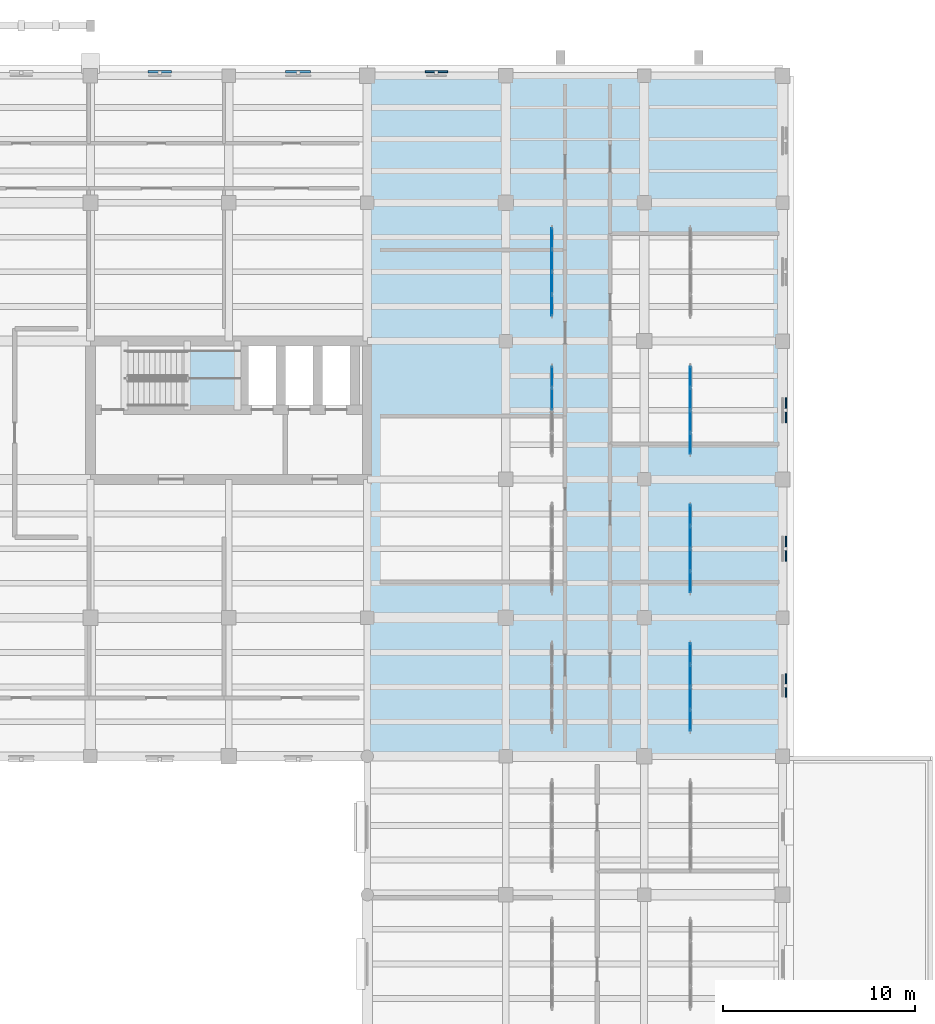
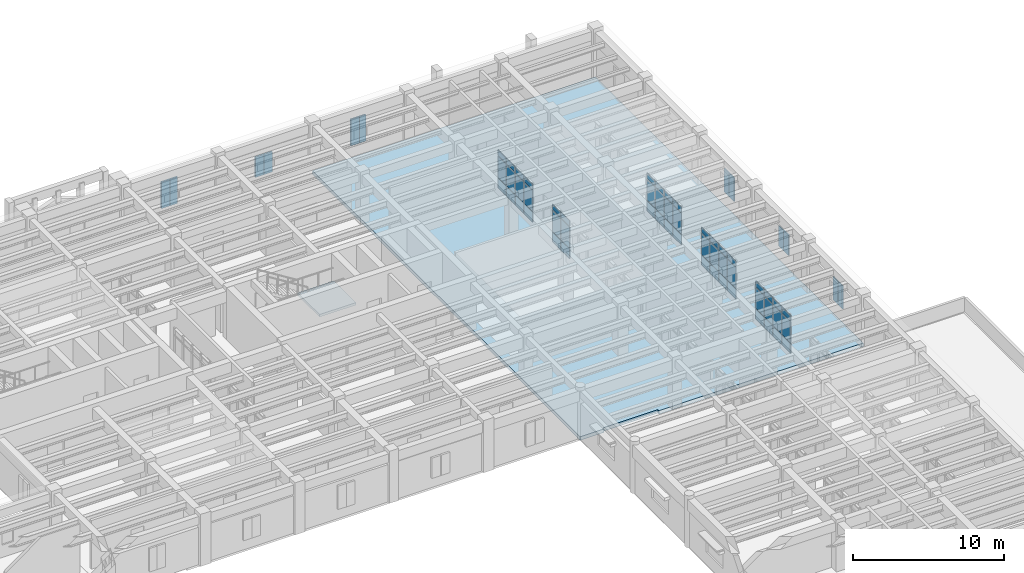
# One storey, part 46 of 76: 66 plates, 2 slabs, 6 elements without a shape of their own.
"""IFC4 building model written with IfcOpenShell, lengths in metres."""

from ifc_helpers import new_model, si_unit, direction, frame, origin, origin_2d, place, context, subcontext, project, spatial, polyline, rectangle, outline, extrude, material, layer, layer_set, type_object, element, aggregate, save


model = new_model("IFC4")

# Units and contexts
model_context = context("Model", 3, precision=1e-05, world=origin(), true_north=direction((0.0, 1.0)))
body_context = subcontext(model_context, "Body", "Model", "MODEL_VIEW")
ifc_project = project(units=[si_unit("LENGTHUNIT", "METRE"), si_unit("AREAUNIT", "SQUARE_METRE"), si_unit("VOLUMEUNIT", "CUBIC_METRE"), si_unit("PLANEANGLEUNIT", "RADIAN"), si_unit("MASSUNIT", "GRAM", prefix="KILO")], contexts=[model_context])

# Site, building, storey
site_placement = place(None, origin())
site = spatial("IfcSite", under=ifc_project, at=site_placement, CompositionType="ELEMENT")
building_placement = place(site_placement, origin())
building = spatial("IfcBuilding", under=site, at=building_placement, Name="Mithqara Police Headquarters", CompositionType="ELEMENT")
storey_placement = place(building_placement, frame((0.0, 0.0, 5.39990234375)))
storey = spatial("IfcBuildingStorey", under=building, at=storey_placement, Name="L01", CompositionType="ELEMENT", Elevation=5.39990234375)

# Curtain wall, plates
ifc_material_1 = material(Name="Bronze anodised aluminium 6063-T6", Category="aluminium")
curtain_wall_type = type_object("IfcCurtainWallType", Name="CURTAIN WALL 4700X3200", PredefinedType="USERDEFINED", material=ifc_material_1)
curtain_wall_1_placement = place(storey_placement, origin())
curtain_wall_1 = element("IfcCurtainWall", 1, at=curtain_wall_1_placement, inside=storey, type_object=curtain_wall_type, Name="L01 Unitised Glazing CW-15 (CW-INT-L01-X21-Y13-0)", ObjectType="UNITISED GLAZING", PredefinedType="USERDEFINED")
ifc_material_2 = material(Name="Spectrally selective double low-e glass", Category="glass")
ifc_layer_1 = layer(ifc_material_2, 0.028076171875, Name="Spectrally selective double low-e glass")
ifc_layer_set_1 = layer_set([ifc_layer_1], Name="Spectrally selective double low-e glass")
plate_type_1 = type_object("IfcPlateType", Name="CWPANEL GLASS28", PredefinedType="CURTAIN_PANEL", material=ifc_layer_set_1)
plate_1_placement = place(storey_placement, frame((154.199951171875, 97.1875, 0.074951171875), z_axis=(0.0, 0.0, 1.0), x_axis=(0.0, 1.0, 0.0)))
plate_1 = element("IfcPlate", 2, at=plate_1_placement, type_object=plate_type_1, Name="CW-15 panel 3.1", PredefinedType="CURTAIN_PANEL", context=body_context, shape_type="SweptSolid", body=[
    extrude(rectangle(XDim=1.10009765625, YDim=0.028076171875, at=origin_2d()), origin(), (0.0, 0.0, 1.0), 0.78759765625),
])
plate_2_placement = place(storey_placement, frame((154.199951171875, 97.1875, 0.9375), z_axis=(0.0, 0.0, 1.0), x_axis=(0.0, 1.0, 0.0)))
plate_2 = element("IfcPlate", 3, at=plate_2_placement, type_object=plate_type_1, Name="CW-15 panel 3.2", PredefinedType="CURTAIN_PANEL", context=body_context, shape_type="SweptSolid", body=[
    extrude(rectangle(XDim=1.10009765625, YDim=0.028076171875, at=origin_2d()), origin(), (0.0, 0.0, 1.0), 1.675048828125),
])
plate_3_placement = place(storey_placement, frame((154.199951171875, 97.1875, 2.6875), z_axis=(0.0, 0.0, 1.0), x_axis=(0.0, 1.0, 0.0)))
plate_3 = element("IfcPlate", 4, at=plate_3_placement, type_object=plate_type_1, Name="CW-15 panel 3.3", PredefinedType="CURTAIN_PANEL", context=body_context, shape_type="SweptSolid", body=[
    extrude(rectangle(XDim=1.10009765625, YDim=0.028076171875, at=origin_2d()), origin(), (0.0, 0.0, 1.0), 0.4375),
])
plate_4_placement = place(storey_placement, frame((154.199951171875, 98.34375, 0.074951171875), z_axis=(0.0, 0.0, 1.0), x_axis=(0.0, 1.0, 0.0)))
plate_4 = element("IfcPlate", 5, at=plate_4_placement, type_object=plate_type_1, Name="CW-15 panel 4.1", PredefinedType="CURTAIN_PANEL", context=body_context, shape_type="SweptSolid", body=[
    extrude(rectangle(XDim=1.0625, YDim=0.028076171875, at=origin_2d()), origin(), (0.0, 0.0, 1.0), 0.78759765625),
])
plate_5_placement = place(storey_placement, frame((154.199951171875, 98.34375, 0.9375), z_axis=(0.0, 0.0, 1.0), x_axis=(0.0, 1.0, 0.0)))
plate_5 = element("IfcPlate", 6, at=plate_5_placement, type_object=plate_type_1, Name="CW-15 panel 4.2", PredefinedType="CURTAIN_PANEL", context=body_context, shape_type="SweptSolid", body=[
    extrude(rectangle(XDim=1.0625, YDim=0.028076171875, at=origin_2d()), origin(), (0.0, 0.0, 1.0), 1.675048828125),
])
plate_6_placement = place(storey_placement, frame((154.199951171875, 98.34375, 2.6875), z_axis=(0.0, 0.0, 1.0), x_axis=(0.0, 1.0, 0.0)))
plate_6 = element("IfcPlate", 7, at=plate_6_placement, type_object=plate_type_1, Name="CW-15 panel 4.3", PredefinedType="CURTAIN_PANEL", context=body_context, shape_type="SweptSolid", body=[
    extrude(rectangle(XDim=1.0625, YDim=0.028076171875, at=origin_2d()), origin(), (0.0, 0.0, 1.0), 0.4375),
])
aggregate(curtain_wall_1, [plate_1, plate_2, plate_3, plate_4, plate_5, plate_6])

curtain_wall_2_placement = place(storey_placement, origin())
curtain_wall_2 = element("IfcCurtainWall", 8, at=curtain_wall_2_placement, inside=storey, type_object=curtain_wall_type, Name="L01 Unitised Glazing CW-15 (CW-INT-L01-X22-Y12-0)", ObjectType="UNITISED GLAZING", PredefinedType="USERDEFINED")
plate_7_placement = place(storey_placement, frame((161.39990234375, 87.65625, 0.074951171875), z_axis=(0.0, 0.0, 1.0), x_axis=(0.0, 1.0, 0.0)))
plate_7 = element("IfcPlate", 9, at=plate_7_placement, type_object=plate_type_1, Name="CW-15 panel 1.1", PredefinedType="CURTAIN_PANEL", context=body_context, shape_type="SweptSolid", body=[
    extrude(rectangle(XDim=1.0625, YDim=0.028076171875, at=origin_2d()), origin(), (0.0, 0.0, 1.0), 0.78759765625),
])
plate_8_placement = place(storey_placement, frame((161.39990234375, 87.65625, 0.9375), z_axis=(0.0, 0.0, 1.0), x_axis=(0.0, 1.0, 0.0)))
plate_8 = element("IfcPlate", 10, at=plate_8_placement, type_object=plate_type_1, Name="CW-15 panel 1.2", PredefinedType="CURTAIN_PANEL", context=body_context, shape_type="SweptSolid", body=[
    extrude(rectangle(XDim=1.0625, YDim=0.028076171875, at=origin_2d()), origin(), (0.0, 0.0, 1.0), 1.675048828125),
])
plate_9_placement = place(storey_placement, frame((161.39990234375, 87.65625, 2.6875), z_axis=(0.0, 0.0, 1.0), x_axis=(0.0, 1.0, 0.0)))
plate_9 = element("IfcPlate", 11, at=plate_9_placement, type_object=plate_type_1, Name="CW-15 panel 1.3", PredefinedType="CURTAIN_PANEL", context=body_context, shape_type="SweptSolid", body=[
    extrude(rectangle(XDim=1.0625, YDim=0.028076171875, at=origin_2d()), origin(), (0.0, 0.0, 1.0), 0.4375),
])
plate_10_placement = place(storey_placement, frame((161.39990234375, 88.8125, 0.074951171875), z_axis=(0.0, 0.0, 1.0), x_axis=(0.0, 1.0, 0.0)))
plate_10 = element("IfcPlate", 12, at=plate_10_placement, type_object=plate_type_1, Name="CW-15 panel 2.1", PredefinedType="CURTAIN_PANEL", context=body_context, shape_type="SweptSolid", body=[
    extrude(rectangle(XDim=1.10009765625, YDim=0.028076171875, at=origin_2d()), origin(), (0.0, 0.0, 1.0), 0.78759765625),
])
plate_11_placement = place(storey_placement, frame((161.39990234375, 88.8125, 0.9375), z_axis=(0.0, 0.0, 1.0), x_axis=(0.0, 1.0, 0.0)))
plate_11 = element("IfcPlate", 13, at=plate_11_placement, type_object=plate_type_1, Name="CW-15 panel 2.2", PredefinedType="CURTAIN_PANEL", context=body_context, shape_type="SweptSolid", body=[
    extrude(rectangle(XDim=1.10009765625, YDim=0.028076171875, at=origin_2d()), origin(), (0.0, 0.0, 1.0), 1.675048828125),
])
plate_12_placement = place(storey_placement, frame((161.39990234375, 88.8125, 2.6875), z_axis=(0.0, 0.0, 1.0), x_axis=(0.0, 1.0, 0.0)))
plate_12 = element("IfcPlate", 14, at=plate_12_placement, type_object=plate_type_1, Name="CW-15 panel 2.3", PredefinedType="CURTAIN_PANEL", context=body_context, shape_type="SweptSolid", body=[
    extrude(rectangle(XDim=1.10009765625, YDim=0.028076171875, at=origin_2d()), origin(), (0.0, 0.0, 1.0), 0.4375),
])
plate_13_placement = place(storey_placement, frame((161.39990234375, 89.987548828125, 0.074951171875), z_axis=(0.0, 0.0, 1.0), x_axis=(0.0, 1.0, 0.0)))
plate_13 = element("IfcPlate", 15, at=plate_13_placement, type_object=plate_type_1, Name="CW-15 panel 3.1", PredefinedType="CURTAIN_PANEL", context=body_context, shape_type="SweptSolid", body=[
    extrude(rectangle(XDim=1.10009765625, YDim=0.028076171875, at=origin_2d()), origin(), (0.0, 0.0, 1.0), 0.78759765625),
])
plate_14_placement = place(storey_placement, frame((161.39990234375, 89.987548828125, 0.9375), z_axis=(0.0, 0.0, 1.0), x_axis=(0.0, 1.0, 0.0)))
plate_14 = element("IfcPlate", 16, at=plate_14_placement, type_object=plate_type_1, Name="CW-15 panel 3.2", PredefinedType="CURTAIN_PANEL", context=body_context, shape_type="SweptSolid", body=[
    extrude(rectangle(XDim=1.10009765625, YDim=0.028076171875, at=origin_2d()), origin(), (0.0, 0.0, 1.0), 1.675048828125),
])
plate_15_placement = place(storey_placement, frame((161.39990234375, 89.987548828125, 2.6875), z_axis=(0.0, 0.0, 1.0), x_axis=(0.0, 1.0, 0.0)))
plate_15 = element("IfcPlate", 17, at=plate_15_placement, type_object=plate_type_1, Name="CW-15 panel 3.3", PredefinedType="CURTAIN_PANEL", context=body_context, shape_type="SweptSolid", body=[
    extrude(rectangle(XDim=1.10009765625, YDim=0.028076171875, at=origin_2d()), origin(), (0.0, 0.0, 1.0), 0.4375),
])
plate_16_placement = place(storey_placement, frame((161.39990234375, 91.143798828125, 0.074951171875), z_axis=(0.0, 0.0, 1.0), x_axis=(0.0, 1.0, 0.0)))
plate_16 = element("IfcPlate", 18, at=plate_16_placement, type_object=plate_type_1, Name="CW-15 panel 4.1", PredefinedType="CURTAIN_PANEL", context=body_context, shape_type="SweptSolid", body=[
    extrude(rectangle(XDim=1.0625, YDim=0.028076171875, at=origin_2d()), origin(), (0.0, 0.0, 1.0), 0.78759765625),
])
plate_17_placement = place(storey_placement, frame((161.39990234375, 91.143798828125, 0.9375), z_axis=(0.0, 0.0, 1.0), x_axis=(0.0, 1.0, 0.0)))
plate_17 = element("IfcPlate", 19, at=plate_17_placement, type_object=plate_type_1, Name="CW-15 panel 4.2", PredefinedType="CURTAIN_PANEL", context=body_context, shape_type="SweptSolid", body=[
    extrude(rectangle(XDim=1.0625, YDim=0.028076171875, at=origin_2d()), origin(), (0.0, 0.0, 1.0), 1.675048828125),
])
plate_18_placement = place(storey_placement, frame((161.39990234375, 91.143798828125, 2.6875), z_axis=(0.0, 0.0, 1.0), x_axis=(0.0, 1.0, 0.0)))
plate_18 = element("IfcPlate", 20, at=plate_18_placement, type_object=plate_type_1, Name="CW-15 panel 4.3", PredefinedType="CURTAIN_PANEL", context=body_context, shape_type="SweptSolid", body=[
    extrude(rectangle(XDim=1.0625, YDim=0.028076171875, at=origin_2d()), origin(), (0.0, 0.0, 1.0), 0.4375),
])
aggregate(curtain_wall_2, [plate_7, plate_8, plate_9, plate_10, plate_11, plate_12, plate_13, plate_14, plate_15, plate_16, plate_17, plate_18])

curtain_wall_3_placement = place(storey_placement, origin())
curtain_wall_3 = element("IfcCurtainWall", 21, at=curtain_wall_3_placement, inside=storey, type_object=curtain_wall_type, Name="L01 Unitised Glazing CW-15 (CW-INT-L01-X22-Y13-0)", ObjectType="UNITISED GLAZING", PredefinedType="USERDEFINED")
plate_19_placement = place(storey_placement, frame((161.39990234375, 94.856201171875, 0.074951171875), z_axis=(0.0, 0.0, 1.0), x_axis=(0.0, 1.0, 0.0)))
plate_19 = element("IfcPlate", 22, at=plate_19_placement, type_object=plate_type_1, Name="CW-15 panel 1.1", PredefinedType="CURTAIN_PANEL", context=body_context, shape_type="SweptSolid", body=[
    extrude(rectangle(XDim=1.0625, YDim=0.028076171875, at=origin_2d()), origin(), (0.0, 0.0, 1.0), 0.78759765625),
])
plate_20_placement = place(storey_placement, frame((161.39990234375, 94.856201171875, 0.9375), z_axis=(0.0, 0.0, 1.0), x_axis=(0.0, 1.0, 0.0)))
plate_20 = element("IfcPlate", 23, at=plate_20_placement, type_object=plate_type_1, Name="CW-15 panel 1.2", PredefinedType="CURTAIN_PANEL", context=body_context, shape_type="SweptSolid", body=[
    extrude(rectangle(XDim=1.0625, YDim=0.028076171875, at=origin_2d()), origin(), (0.0, 0.0, 1.0), 1.675048828125),
])
plate_21_placement = place(storey_placement, frame((161.39990234375, 94.856201171875, 2.6875), z_axis=(0.0, 0.0, 1.0), x_axis=(0.0, 1.0, 0.0)))
plate_21 = element("IfcPlate", 24, at=plate_21_placement, type_object=plate_type_1, Name="CW-15 panel 1.3", PredefinedType="CURTAIN_PANEL", context=body_context, shape_type="SweptSolid", body=[
    extrude(rectangle(XDim=1.0625, YDim=0.028076171875, at=origin_2d()), origin(), (0.0, 0.0, 1.0), 0.4375),
])
plate_22_placement = place(storey_placement, frame((161.39990234375, 96.012451171875, 0.074951171875), z_axis=(0.0, 0.0, 1.0), x_axis=(0.0, 1.0, 0.0)))
plate_22 = element("IfcPlate", 25, at=plate_22_placement, type_object=plate_type_1, Name="CW-15 panel 2.1", PredefinedType="CURTAIN_PANEL", context=body_context, shape_type="SweptSolid", body=[
    extrude(rectangle(XDim=1.10009765625, YDim=0.028076171875, at=origin_2d()), origin(), (0.0, 0.0, 1.0), 0.78759765625),
])
plate_23_placement = place(storey_placement, frame((161.39990234375, 96.012451171875, 0.9375), z_axis=(0.0, 0.0, 1.0), x_axis=(0.0, 1.0, 0.0)))
plate_23 = element("IfcPlate", 26, at=plate_23_placement, type_object=plate_type_1, Name="CW-15 panel 2.2", PredefinedType="CURTAIN_PANEL", context=body_context, shape_type="SweptSolid", body=[
    extrude(rectangle(XDim=1.10009765625, YDim=0.028076171875, at=origin_2d()), origin(), (0.0, 0.0, 1.0), 1.675048828125),
])
plate_24_placement = place(storey_placement, frame((161.39990234375, 96.012451171875, 2.6875), z_axis=(0.0, 0.0, 1.0), x_axis=(0.0, 1.0, 0.0)))
plate_24 = element("IfcPlate", 27, at=plate_24_placement, type_object=plate_type_1, Name="CW-15 panel 2.3", PredefinedType="CURTAIN_PANEL", context=body_context, shape_type="SweptSolid", body=[
    extrude(rectangle(XDim=1.10009765625, YDim=0.028076171875, at=origin_2d()), origin(), (0.0, 0.0, 1.0), 0.4375),
])
plate_25_placement = place(storey_placement, frame((161.39990234375, 97.1875, 0.074951171875), z_axis=(0.0, 0.0, 1.0), x_axis=(0.0, 1.0, 0.0)))
plate_25 = element("IfcPlate", 28, at=plate_25_placement, type_object=plate_type_1, Name="CW-15 panel 3.1", PredefinedType="CURTAIN_PANEL", context=body_context, shape_type="SweptSolid", body=[
    extrude(rectangle(XDim=1.10009765625, YDim=0.028076171875, at=origin_2d()), origin(), (0.0, 0.0, 1.0), 0.78759765625),
])
plate_26_placement = place(storey_placement, frame((161.39990234375, 97.1875, 0.9375), z_axis=(0.0, 0.0, 1.0), x_axis=(0.0, 1.0, 0.0)))
plate_26 = element("IfcPlate", 29, at=plate_26_placement, type_object=plate_type_1, Name="CW-15 panel 3.2", PredefinedType="CURTAIN_PANEL", context=body_context, shape_type="SweptSolid", body=[
    extrude(rectangle(XDim=1.10009765625, YDim=0.028076171875, at=origin_2d()), origin(), (0.0, 0.0, 1.0), 1.675048828125),
])
plate_27_placement = place(storey_placement, frame((161.39990234375, 97.1875, 2.6875), z_axis=(0.0, 0.0, 1.0), x_axis=(0.0, 1.0, 0.0)))
plate_27 = element("IfcPlate", 30, at=plate_27_placement, type_object=plate_type_1, Name="CW-15 panel 3.3", PredefinedType="CURTAIN_PANEL", context=body_context, shape_type="SweptSolid", body=[
    extrude(rectangle(XDim=1.10009765625, YDim=0.028076171875, at=origin_2d()), origin(), (0.0, 0.0, 1.0), 0.4375),
])
plate_28_placement = place(storey_placement, frame((161.39990234375, 98.34375, 0.074951171875), z_axis=(0.0, 0.0, 1.0), x_axis=(0.0, 1.0, 0.0)))
plate_28 = element("IfcPlate", 31, at=plate_28_placement, type_object=plate_type_1, Name="CW-15 panel 4.1", PredefinedType="CURTAIN_PANEL", context=body_context, shape_type="SweptSolid", body=[
    extrude(rectangle(XDim=1.0625, YDim=0.028076171875, at=origin_2d()), origin(), (0.0, 0.0, 1.0), 0.78759765625),
])
plate_29_placement = place(storey_placement, frame((161.39990234375, 98.34375, 0.9375), z_axis=(0.0, 0.0, 1.0), x_axis=(0.0, 1.0, 0.0)))
plate_29 = element("IfcPlate", 32, at=plate_29_placement, type_object=plate_type_1, Name="CW-15 panel 4.2", PredefinedType="CURTAIN_PANEL", context=body_context, shape_type="SweptSolid", body=[
    extrude(rectangle(XDim=1.0625, YDim=0.028076171875, at=origin_2d()), origin(), (0.0, 0.0, 1.0), 1.675048828125),
])
plate_30_placement = place(storey_placement, frame((161.39990234375, 98.34375, 2.6875), z_axis=(0.0, 0.0, 1.0), x_axis=(0.0, 1.0, 0.0)))
plate_30 = element("IfcPlate", 33, at=plate_30_placement, type_object=plate_type_1, Name="CW-15 panel 4.3", PredefinedType="CURTAIN_PANEL", context=body_context, shape_type="SweptSolid", body=[
    extrude(rectangle(XDim=1.0625, YDim=0.028076171875, at=origin_2d()), origin(), (0.0, 0.0, 1.0), 0.4375),
])
aggregate(curtain_wall_3, [plate_19, plate_20, plate_21, plate_22, plate_23, plate_24, plate_25, plate_26, plate_27, plate_28, plate_29, plate_30])

curtain_wall_4_placement = place(storey_placement, origin())
curtain_wall_4 = element("IfcCurtainWall", 34, at=curtain_wall_4_placement, inside=storey, type_object=curtain_wall_type, Name="L01 Unitised Glazing CW-15 (CW-INT-L01-X21-Y14-0)", ObjectType="UNITISED GLAZING", PredefinedType="USERDEFINED")
ifc_material_3 = material(Name="Insulated bronze aluminium spandrel panel", Category="aluminium")
ifc_layer_2 = layer(ifc_material_3, 0.048095703125, Name="Insulated bronze aluminium spandrel panel")
ifc_layer_set_2 = layer_set([ifc_layer_2], Name="Insulated bronze aluminium spandrel panel")
plate_type_2 = type_object("IfcPlateType", Name="CWPANEL SPANDREL48", PredefinedType="CURTAIN_PANEL", material=ifc_layer_set_2)
plate_31_placement = place(storey_placement, frame((154.199951171875, 102.05615234375, 0.074951171875), z_axis=(0.0, 0.0, 1.0), x_axis=(0.0, 1.0, 0.0)))
plate_31 = element("IfcPlate", 35, at=plate_31_placement, type_object=plate_type_2, Name="CW-15 panel 1.1", PredefinedType="CURTAIN_PANEL", context=body_context, shape_type="SweptSolid", body=[
    extrude(rectangle(XDim=1.0625, YDim=0.048095703125, at=origin_2d()), origin(), (0.0, 0.0, 1.0), 0.78759765625),
])
plate_32_placement = place(storey_placement, frame((154.199951171875, 102.05615234375, 0.9375), z_axis=(0.0, 0.0, 1.0), x_axis=(0.0, 1.0, 0.0)))
plate_32 = element("IfcPlate", 36, at=plate_32_placement, type_object=plate_type_2, Name="CW-15 panel 1.2", PredefinedType="CURTAIN_PANEL", context=body_context, shape_type="SweptSolid", body=[
    extrude(rectangle(XDim=1.0625, YDim=0.048095703125, at=origin_2d()), origin(), (0.0, 0.0, 1.0), 1.675048828125),
])
plate_33_placement = place(storey_placement, frame((154.199951171875, 102.05615234375, 2.6875), z_axis=(0.0, 0.0, 1.0), x_axis=(0.0, 1.0, 0.0)))
plate_33 = element("IfcPlate", 37, at=plate_33_placement, type_object=plate_type_2, Name="CW-15 panel 1.3", PredefinedType="CURTAIN_PANEL", context=body_context, shape_type="SweptSolid", body=[
    extrude(rectangle(XDim=1.0625, YDim=0.048095703125, at=origin_2d()), origin(), (0.0, 0.0, 1.0), 0.4375),
])
plate_34_placement = place(storey_placement, frame((154.199951171875, 103.21240234375, 0.074951171875), z_axis=(0.0, 0.0, 1.0), x_axis=(0.0, 1.0, 0.0)))
plate_34 = element("IfcPlate", 38, at=plate_34_placement, type_object=plate_type_2, Name="CW-15 panel 2.1", PredefinedType="CURTAIN_PANEL", context=body_context, shape_type="SweptSolid", body=[
    extrude(rectangle(XDim=1.10009765625, YDim=0.048095703125, at=origin_2d()), origin(), (0.0, 0.0, 1.0), 0.78759765625),
])
plate_35_placement = place(storey_placement, frame((154.199951171875, 103.21240234375, 0.9375), z_axis=(0.0, 0.0, 1.0), x_axis=(0.0, 1.0, 0.0)))
plate_35 = element("IfcPlate", 39, at=plate_35_placement, type_object=plate_type_2, Name="CW-15 panel 2.2", PredefinedType="CURTAIN_PANEL", context=body_context, shape_type="SweptSolid", body=[
    extrude(rectangle(XDim=1.10009765625, YDim=0.048095703125, at=origin_2d()), origin(), (0.0, 0.0, 1.0), 1.675048828125),
])
plate_36_placement = place(storey_placement, frame((154.199951171875, 103.21240234375, 2.6875), z_axis=(0.0, 0.0, 1.0), x_axis=(0.0, 1.0, 0.0)))
plate_36 = element("IfcPlate", 40, at=plate_36_placement, type_object=plate_type_2, Name="CW-15 panel 2.3", PredefinedType="CURTAIN_PANEL", context=body_context, shape_type="SweptSolid", body=[
    extrude(rectangle(XDim=1.10009765625, YDim=0.048095703125, at=origin_2d()), origin(), (0.0, 0.0, 1.0), 0.4375),
])
plate_37_placement = place(storey_placement, frame((154.199951171875, 104.387451171875, 0.074951171875), z_axis=(0.0, 0.0, 1.0), x_axis=(0.0, 1.0, 0.0)))
plate_37 = element("IfcPlate", 41, at=plate_37_placement, type_object=plate_type_2, Name="CW-15 panel 3.1", PredefinedType="CURTAIN_PANEL", context=body_context, shape_type="SweptSolid", body=[
    extrude(rectangle(XDim=1.10009765625, YDim=0.048095703125, at=origin_2d()), origin(), (0.0, 0.0, 1.0), 0.78759765625),
])
plate_38_placement = place(storey_placement, frame((154.199951171875, 104.387451171875, 0.9375), z_axis=(0.0, 0.0, 1.0), x_axis=(0.0, 1.0, 0.0)))
plate_38 = element("IfcPlate", 42, at=plate_38_placement, type_object=plate_type_2, Name="CW-15 panel 3.2", PredefinedType="CURTAIN_PANEL", context=body_context, shape_type="SweptSolid", body=[
    extrude(rectangle(XDim=1.10009765625, YDim=0.048095703125, at=origin_2d()), origin(), (0.0, 0.0, 1.0), 1.675048828125),
])
plate_39_placement = place(storey_placement, frame((154.199951171875, 104.387451171875, 2.6875), z_axis=(0.0, 0.0, 1.0), x_axis=(0.0, 1.0, 0.0)))
plate_39 = element("IfcPlate", 43, at=plate_39_placement, type_object=plate_type_2, Name="CW-15 panel 3.3", PredefinedType="CURTAIN_PANEL", context=body_context, shape_type="SweptSolid", body=[
    extrude(rectangle(XDim=1.10009765625, YDim=0.048095703125, at=origin_2d()), origin(), (0.0, 0.0, 1.0), 0.4375),
])
plate_40_placement = place(storey_placement, frame((154.199951171875, 105.543701171875, 0.074951171875), z_axis=(0.0, 0.0, 1.0), x_axis=(0.0, 1.0, 0.0)))
plate_40 = element("IfcPlate", 44, at=plate_40_placement, type_object=plate_type_2, Name="CW-15 panel 4.1", PredefinedType="CURTAIN_PANEL", context=body_context, shape_type="SweptSolid", body=[
    extrude(rectangle(XDim=1.0625, YDim=0.048095703125, at=origin_2d()), origin(), (0.0, 0.0, 1.0), 0.78759765625),
])
plate_41_placement = place(storey_placement, frame((154.199951171875, 105.543701171875, 0.9375), z_axis=(0.0, 0.0, 1.0), x_axis=(0.0, 1.0, 0.0)))
plate_41 = element("IfcPlate", 45, at=plate_41_placement, type_object=plate_type_2, Name="CW-15 panel 4.2", PredefinedType="CURTAIN_PANEL", context=body_context, shape_type="SweptSolid", body=[
    extrude(rectangle(XDim=1.0625, YDim=0.048095703125, at=origin_2d()), origin(), (0.0, 0.0, 1.0), 1.675048828125),
])
plate_42_placement = place(storey_placement, frame((154.199951171875, 105.543701171875, 2.6875), z_axis=(0.0, 0.0, 1.0), x_axis=(0.0, 1.0, 0.0)))
plate_42 = element("IfcPlate", 46, at=plate_42_placement, type_object=plate_type_2, Name="CW-15 panel 4.3", PredefinedType="CURTAIN_PANEL", context=body_context, shape_type="SweptSolid", body=[
    extrude(rectangle(XDim=1.0625, YDim=0.048095703125, at=origin_2d()), origin(), (0.0, 0.0, 1.0), 0.4375),
])
aggregate(curtain_wall_4, [plate_31, plate_32, plate_33, plate_34, plate_35, plate_36, plate_37, plate_38, plate_39, plate_40, plate_41, plate_42])

curtain_wall_5_placement = place(storey_placement, origin())
curtain_wall_5 = element("IfcCurtainWall", 47, at=curtain_wall_5_placement, inside=storey, type_object=curtain_wall_type, Name="L01 Unitised Glazing CW-15 (CW-INT-L01-X22-Y11-0)", ObjectType="UNITISED GLAZING", PredefinedType="USERDEFINED")
plate_43_placement = place(storey_placement, frame((161.39990234375, 80.456298828125, 0.074951171875), z_axis=(0.0, 0.0, 1.0), x_axis=(0.0, 1.0, 0.0)))
plate_43 = element("IfcPlate", 48, at=plate_43_placement, type_object=plate_type_2, Name="CW-15 panel 1.1", PredefinedType="CURTAIN_PANEL", context=body_context, shape_type="SweptSolid", body=[
    extrude(rectangle(XDim=1.0625, YDim=0.048095703125, at=origin_2d()), origin(), (0.0, 0.0, 1.0), 0.78759765625),
])
plate_44_placement = place(storey_placement, frame((161.39990234375, 80.456298828125, 0.9375), z_axis=(0.0, 0.0, 1.0), x_axis=(0.0, 1.0, 0.0)))
plate_44 = element("IfcPlate", 49, at=plate_44_placement, type_object=plate_type_2, Name="CW-15 panel 1.2", PredefinedType="CURTAIN_PANEL", context=body_context, shape_type="SweptSolid", body=[
    extrude(rectangle(XDim=1.0625, YDim=0.048095703125, at=origin_2d()), origin(), (0.0, 0.0, 1.0), 1.675048828125),
])
plate_45_placement = place(storey_placement, frame((161.39990234375, 80.456298828125, 2.6875), z_axis=(0.0, 0.0, 1.0), x_axis=(0.0, 1.0, 0.0)))
plate_45 = element("IfcPlate", 50, at=plate_45_placement, type_object=plate_type_2, Name="CW-15 panel 1.3", PredefinedType="CURTAIN_PANEL", context=body_context, shape_type="SweptSolid", body=[
    extrude(rectangle(XDim=1.0625, YDim=0.048095703125, at=origin_2d()), origin(), (0.0, 0.0, 1.0), 0.4375),
])
plate_46_placement = place(storey_placement, frame((161.39990234375, 81.612548828125, 0.074951171875), z_axis=(0.0, 0.0, 1.0), x_axis=(0.0, 1.0, 0.0)))
plate_46 = element("IfcPlate", 51, at=plate_46_placement, type_object=plate_type_2, Name="CW-15 panel 2.1", PredefinedType="CURTAIN_PANEL", context=body_context, shape_type="SweptSolid", body=[
    extrude(rectangle(XDim=1.10009765625, YDim=0.048095703125, at=origin_2d()), origin(), (0.0, 0.0, 1.0), 0.78759765625),
])
plate_47_placement = place(storey_placement, frame((161.39990234375, 81.612548828125, 0.9375), z_axis=(0.0, 0.0, 1.0), x_axis=(0.0, 1.0, 0.0)))
plate_47 = element("IfcPlate", 52, at=plate_47_placement, type_object=plate_type_2, Name="CW-15 panel 2.2", PredefinedType="CURTAIN_PANEL", context=body_context, shape_type="SweptSolid", body=[
    extrude(rectangle(XDim=1.10009765625, YDim=0.048095703125, at=origin_2d()), origin(), (0.0, 0.0, 1.0), 1.675048828125),
])
plate_48_placement = place(storey_placement, frame((161.39990234375, 81.612548828125, 2.6875), z_axis=(0.0, 0.0, 1.0), x_axis=(0.0, 1.0, 0.0)))
plate_48 = element("IfcPlate", 53, at=plate_48_placement, type_object=plate_type_2, Name="CW-15 panel 2.3", PredefinedType="CURTAIN_PANEL", context=body_context, shape_type="SweptSolid", body=[
    extrude(rectangle(XDim=1.10009765625, YDim=0.048095703125, at=origin_2d()), origin(), (0.0, 0.0, 1.0), 0.4375),
])
plate_49_placement = place(storey_placement, frame((161.39990234375, 82.78759765625, 0.074951171875), z_axis=(0.0, 0.0, 1.0), x_axis=(0.0, 1.0, 0.0)))
plate_49 = element("IfcPlate", 54, at=plate_49_placement, type_object=plate_type_2, Name="CW-15 panel 3.1", PredefinedType="CURTAIN_PANEL", context=body_context, shape_type="SweptSolid", body=[
    extrude(rectangle(XDim=1.10009765625, YDim=0.048095703125, at=origin_2d()), origin(), (0.0, 0.0, 1.0), 0.78759765625),
])
plate_50_placement = place(storey_placement, frame((161.39990234375, 82.78759765625, 0.9375), z_axis=(0.0, 0.0, 1.0), x_axis=(0.0, 1.0, 0.0)))
plate_50 = element("IfcPlate", 55, at=plate_50_placement, type_object=plate_type_2, Name="CW-15 panel 3.2", PredefinedType="CURTAIN_PANEL", context=body_context, shape_type="SweptSolid", body=[
    extrude(rectangle(XDim=1.10009765625, YDim=0.048095703125, at=origin_2d()), origin(), (0.0, 0.0, 1.0), 1.675048828125),
])
plate_51_placement = place(storey_placement, frame((161.39990234375, 82.78759765625, 2.6875), z_axis=(0.0, 0.0, 1.0), x_axis=(0.0, 1.0, 0.0)))
plate_51 = element("IfcPlate", 56, at=plate_51_placement, type_object=plate_type_2, Name="CW-15 panel 3.3", PredefinedType="CURTAIN_PANEL", context=body_context, shape_type="SweptSolid", body=[
    extrude(rectangle(XDim=1.10009765625, YDim=0.048095703125, at=origin_2d()), origin(), (0.0, 0.0, 1.0), 0.4375),
])
plate_52_placement = place(storey_placement, frame((161.39990234375, 83.94384765625, 0.074951171875), z_axis=(0.0, 0.0, 1.0), x_axis=(0.0, 1.0, 0.0)))
plate_52 = element("IfcPlate", 57, at=plate_52_placement, type_object=plate_type_2, Name="CW-15 panel 4.1", PredefinedType="CURTAIN_PANEL", context=body_context, shape_type="SweptSolid", body=[
    extrude(rectangle(XDim=1.0625, YDim=0.048095703125, at=origin_2d()), origin(), (0.0, 0.0, 1.0), 0.78759765625),
])
plate_53_placement = place(storey_placement, frame((161.39990234375, 83.94384765625, 0.9375), z_axis=(0.0, 0.0, 1.0), x_axis=(0.0, 1.0, 0.0)))
plate_53 = element("IfcPlate", 58, at=plate_53_placement, type_object=plate_type_2, Name="CW-15 panel 4.2", PredefinedType="CURTAIN_PANEL", context=body_context, shape_type="SweptSolid", body=[
    extrude(rectangle(XDim=1.0625, YDim=0.048095703125, at=origin_2d()), origin(), (0.0, 0.0, 1.0), 1.675048828125),
])
plate_54_placement = place(storey_placement, frame((161.39990234375, 83.94384765625, 2.6875), z_axis=(0.0, 0.0, 1.0), x_axis=(0.0, 1.0, 0.0)))
plate_54 = element("IfcPlate", 59, at=plate_54_placement, type_object=plate_type_2, Name="CW-15 panel 4.3", PredefinedType="CURTAIN_PANEL", context=body_context, shape_type="SweptSolid", body=[
    extrude(rectangle(XDim=1.0625, YDim=0.048095703125, at=origin_2d()), origin(), (0.0, 0.0, 1.0), 0.4375),
])
aggregate(curtain_wall_5, [plate_43, plate_44, plate_45, plate_46, plate_47, plate_48, plate_49, plate_50, plate_51, plate_52, plate_53, plate_54])

# Slab
ifc_material_4 = material(Name="Concrete C40/50", Category="concrete")
ifc_layer_3 = layer(ifc_material_4, 0.280029296875, Name="Concrete C40/50")
ifc_layer_set_3 = layer_set([ifc_layer_3], Name="Concrete C40/50")
slab_type_1 = type_object("IfcSlabType", Name="FLOOR SLAB 280", PredefinedType="FLOOR", material=ifc_layer_set_3)
slab_1_placement = place(storey_placement, frame((0.0, 0.0, -0.27978515625)))
element("IfcSlab", 60, at=slab_1_placement, inside=storey, type_object=slab_type_1, Name="L01 Structural Slab L01-V1B", PredefinedType="FLOOR", context=body_context, shape_type="SweptSolid", body=[
    extrude(outline(polyline([(166.199951171875, 78.60009765625), (150.60009765625, 78.60009765625), (150.60009765625, 78.739990234375), (146.39990234375, 78.739990234375), (146.39990234375, 78.60009765625), (144.60009765625, 78.60009765625), (144.60009765625, 114.0), (166.199951171875, 114.0), (166.199951171875, 78.60009765625)])), origin(), (0.0, 0.0, 1.0), 0.27978515625),
])

# Stair, slab
stair_type = type_object("IfcStairType", Name="STAIR ST 02-R24", PredefinedType="HALF_TURN_STAIR", material=ifc_material_4)
stair_placement = place(storey_placement, origin())
stair = element("IfcStair", 61, at=stair_placement, inside=storey, type_object=stair_type, Name="L01 Core C2 Command East Exit Stair", PredefinedType="HALF_TURN_STAIR")
ifc_layer_4 = layer(ifc_material_4, 0.199951171875, Name="Concrete C40/50")
ifc_layer_set_4 = layer_set([ifc_layer_4], Name="Concrete C40/50")
slab_type_2 = type_object("IfcSlabType", Name="STAIR LANDING 200", PredefinedType="LANDING", material=ifc_layer_set_4)
slab_2_placement = place(storey_placement, frame((0.0, 0.0, 1.900146484375)))
slab_2 = element("IfcSlab", 62, at=slab_2_placement, type_object=slab_type_2, Name="ST-02 landing 1", PredefinedType="LANDING", context=body_context, shape_type="SweptSolid", body=[
    extrude(outline(polyline([(135.22998046875, 96.800048828125), (138.0, 96.800048828125), (138.0, 99.699951171875), (135.22998046875, 99.699951171875), (135.22998046875, 96.800048828125)])), origin(), (0.0, 0.0, 1.0), 0.199951171875),
])
aggregate(stair, [slab_2])

# Plates
ifc_material_5 = material(Name="Limestone ashlar masonry, 45 MPa", Category="masonry")
ifc_layer_5 = layer(ifc_material_5, 0.10009765625, Name="Limestone ashlar masonry, 45 MPa")
ifc_layer_set_5 = layer_set([ifc_layer_5], Name="Limestone ashlar masonry, 45 MPa")
plate_type_3 = type_object("IfcPlateType", Name="STONE SCREEN 100", PredefinedType="USERDEFINED", material=ifc_layer_set_5)
for number, where, z_axis, x_axis, name in (
    (63, (148.449951171875, 114.199951171875, 0.830078125), (0.0, 0.0, 1.0), (1.0, 0.0, 0.0), "L01 Pierced Limestone Vertical-Slit Panel 47"),
    (64, (147.949951171875, 114.199951171875, 0.830078125), (0.0, 0.0, 1.0), (1.0, 0.0, 0.0), "L01 Pierced Limestone Vertical-Slit Panel 48"),
):
    element("IfcPlate", number, at=place(storey_placement, frame(where, z_axis=z_axis, x_axis=x_axis)), inside=storey, type_object=plate_type_3, Name=name, ObjectType="STONE SCREEN", PredefinedType="USERDEFINED", context=body_context, shape_type="SweptSolid", body=[
        extrude(rectangle(XDim=0.656005859375, YDim=0.10009765625, at=origin_2d()), origin(), (0.0, 0.0, 1.0), 2.139892578125),
    ])
ifc_layer_6 = layer(ifc_material_5, 0.1201171875, Name="Limestone ashlar masonry, 45 MPa")
ifc_layer_set_6 = layer_set([ifc_layer_6], Name="Limestone ashlar masonry, 45 MPa")
plate_type_4 = type_object("IfcPlateType", Name="STONE SCREEN 120", PredefinedType="USERDEFINED", material=ifc_layer_set_6)
for number, where, z_axis, x_axis, name in (
    (65, (134.08740234375, 114.2099609375, 0.830078125), (0.0, 0.0, 1.0), (1.0, 0.0, 0.0), "L01 Pierced Limestone Vertical-Slit Panel 55"),
    (66, (133.512451171875, 114.2099609375, 0.830078125), (0.0, 0.0, 1.0), (1.0, 0.0, 0.0), "L01 Pierced Limestone Vertical-Slit Panel 56"),
):
    element("IfcPlate", number, at=place(storey_placement, frame(where, z_axis=z_axis, x_axis=x_axis)), inside=storey, type_object=plate_type_4, Name=name, ObjectType="STONE SCREEN", PredefinedType="USERDEFINED", context=body_context, shape_type="SweptSolid", body=[
        extrude(rectangle(XDim=0.656005859375, YDim=0.1201171875, at=origin_2d()), origin(), (0.0, 0.0, 1.0), 2.139892578125),
    ])
for number, where, z_axis, x_axis, name in (
    (67, (141.324951171875, 114.2099609375, 0.830078125), (0.0, 0.0, 1.0), (1.0, 0.0, 0.0), "L01 Pierced Limestone Vertical-Slit Panel 57"),
    (68, (140.675048828125, 114.2099609375, 0.830078125), (0.0, 0.0, 1.0), (1.0, 0.0, 0.0), "L01 Pierced Limestone Vertical-Slit Panel 58"),
):
    element("IfcPlate", number, at=place(storey_placement, frame(where, z_axis=z_axis, x_axis=x_axis)), inside=storey, type_object=plate_type_4, Name=name, ObjectType="STONE SCREEN", PredefinedType="USERDEFINED", context=body_context, shape_type="SweptSolid", body=[
        extrude(rectangle(XDim=0.656005859375, YDim=0.1201171875, at=origin_2d()), origin(), (0.0, 0.0, 1.0), 1.639892578125),
    ])
ifc_layer_7 = layer(ifc_material_5, 0.080078125, Name="Limestone ashlar masonry, 45 MPa")
ifc_layer_set_7 = layer_set([ifc_layer_7], Name="Limestone ashlar masonry, 45 MPa")
plate_type_5 = type_object("IfcPlateType", Name="STONE SCREEN 80", PredefinedType="USERDEFINED", material=ifc_layer_set_7)
for number, where, z_axis, x_axis, name in (
    (69, (166.389892578125, 81.987548828125, 0.830078125), (0.0, 0.0, 1.0), (0.0, 1.0, 0.0), "L01 Pierced Limestone Vertical-Slit Panel 37"),
    (70, (166.389892578125, 82.5625, 0.830078125), (0.0, 0.0, 1.0), (0.0, 1.0, 0.0), "L01 Pierced Limestone Vertical-Slit Panel 38"),
):
    element("IfcPlate", number, at=place(storey_placement, frame(where, z_axis=z_axis, x_axis=x_axis)), inside=storey, type_object=plate_type_5, Name=name, ObjectType="STONE SCREEN", PredefinedType="USERDEFINED", context=body_context, shape_type="SweptSolid", body=[
        extrude(rectangle(XDim=0.656005859375, YDim=0.080078125, at=origin_2d()), origin(), (0.0, 0.0, 1.0), 1.889892578125),
    ])
for number, where, z_axis, x_axis, name in (
    (71, (166.389892578125, 89.074951171875, 0.830078125), (0.0, 0.0, 1.0), (0.0, 1.0, 0.0), "L01 Pierced Limestone Vertical-Slit Panel 39"),
    (72, (166.389892578125, 89.72509765625, 0.830078125), (0.0, 0.0, 1.0), (0.0, 1.0, 0.0), "L01 Pierced Limestone Vertical-Slit Panel 40"),
):
    element("IfcPlate", number, at=place(storey_placement, frame(where, z_axis=z_axis, x_axis=x_axis)), inside=storey, type_object=plate_type_5, Name=name, ObjectType="STONE SCREEN", PredefinedType="USERDEFINED", context=body_context, shape_type="SweptSolid", body=[
        extrude(rectangle(XDim=0.656005859375, YDim=0.080078125, at=origin_2d()), origin(), (0.0, 0.0, 1.0), 1.639892578125),
    ])
for number, where, z_axis, x_axis, name in (
    (73, (166.389892578125, 96.27490234375, 0.830078125), (0.0, 0.0, 1.0), (0.0, 1.0, 0.0), "L01 Pierced Limestone Vertical-Slit Panel 41"),
    (74, (166.389892578125, 96.925048828125, 0.830078125), (0.0, 0.0, 1.0), (0.0, 1.0, 0.0), "L01 Pierced Limestone Vertical-Slit Panel 42"),
):
    element("IfcPlate", number, at=place(storey_placement, frame(where, z_axis=z_axis, x_axis=x_axis)), inside=storey, type_object=plate_type_5, Name=name, ObjectType="STONE SCREEN", PredefinedType="USERDEFINED", context=body_context, shape_type="SweptSolid", body=[
        extrude(rectangle(XDim=0.656005859375, YDim=0.080078125, at=origin_2d()), origin(), (0.0, 0.0, 1.0), 1.889892578125),
    ])

save(model, "model.ifc")
